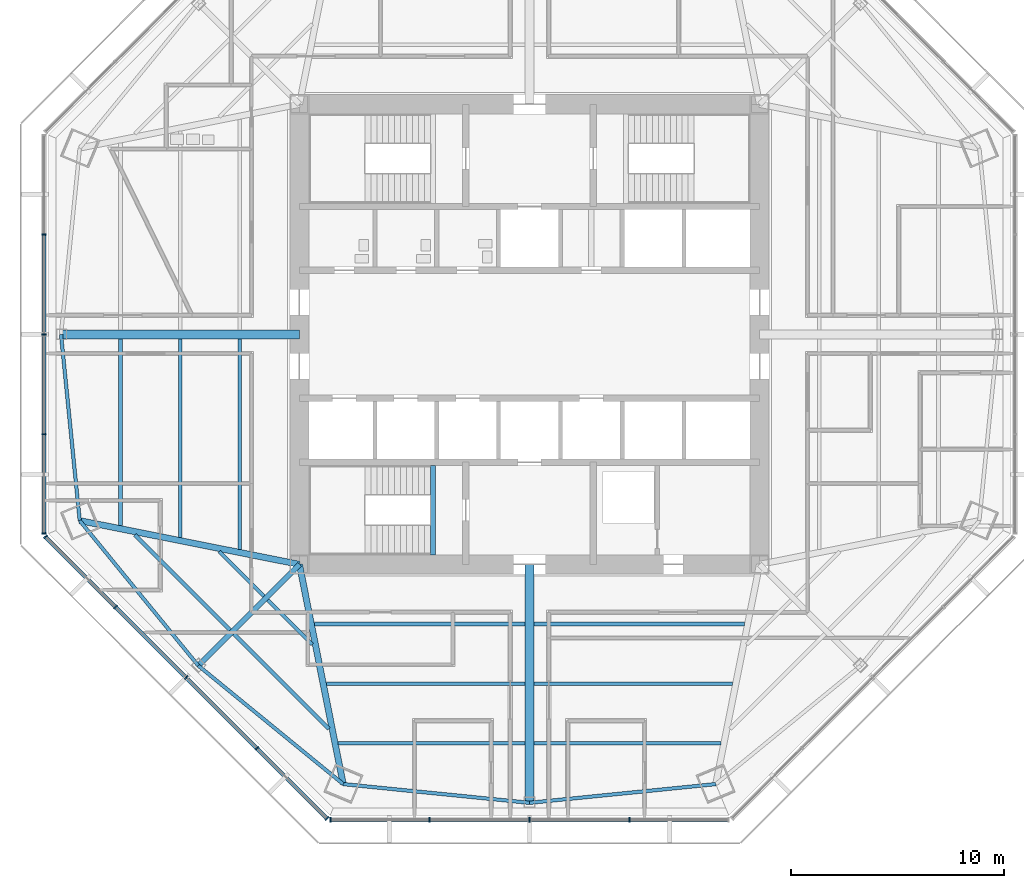
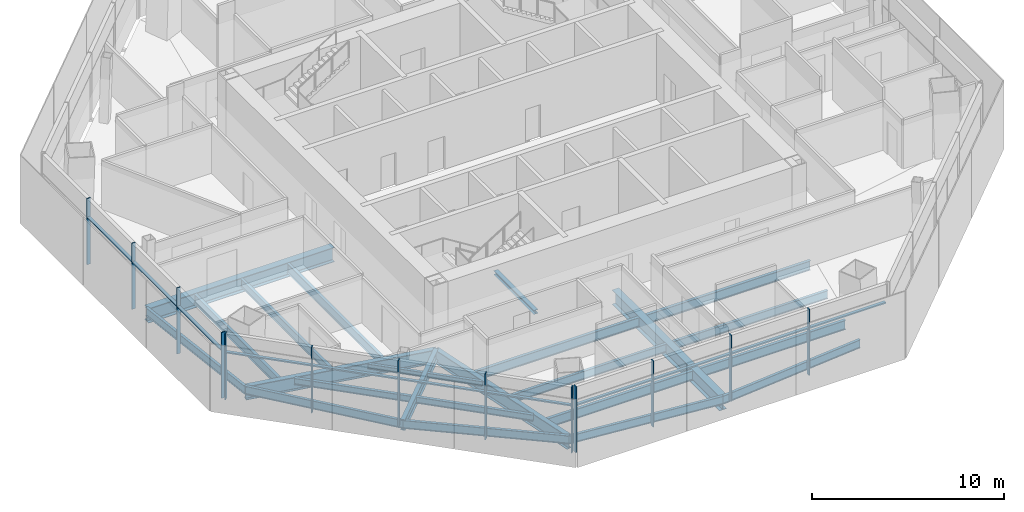
# One storey, part 2 of 15: 24 beams, 24 members, 3 elements without a shape of their own.
"""IFC4 building model written with IfcOpenShell, lengths in metres."""

from ifc_helpers import new_model, si_unit, direction, frame, origin, origin_2d, place, context, subcontext, project, spatial, rectangle, i_section, extrude, source, transform, mapped, material, material_profile, profile_set, type_object, type_shapes, element, aggregate, save


model = new_model("IFC4")

# Units and contexts
model_context = context("Model", 3, precision=1e-05, world=origin(), true_north=direction((0.0, 1.0)))
body_context = subcontext(model_context, "Body", "Model", "MODEL_VIEW")
ifc_project = project(units=[si_unit("LENGTHUNIT", "METRE"), si_unit("AREAUNIT", "SQUARE_METRE"), si_unit("VOLUMEUNIT", "CUBIC_METRE"), si_unit("PLANEANGLEUNIT", "RADIAN"), si_unit("MASSUNIT", "GRAM", prefix="KILO")], contexts=[model_context])

# Site, building, storey
site_placement = place(None, origin())
site = spatial("IfcSite", under=ifc_project, at=site_placement, CompositionType="ELEMENT")
building_placement = place(site_placement, origin())
building = spatial("IfcBuilding", under=site, at=building_placement, Name="Mashrafa Tower", CompositionType="ELEMENT")
storey_placement = place(building_placement, frame((0.0, 0.0, 184.800048828125)))
storey = spatial("IfcBuildingStorey", under=building, at=storey_placement, Name="L42", CompositionType="ELEMENT", Elevation=184.800048828125)

# Beams
ifc_material_1 = material(Name="Steel ASTM A992", Category="steel")
ifc_material_profile_1 = material_profile(ifc_material_1, i_section(OverallWidth=0.164794921875, OverallDepth=0.309814453125, WebThickness=0.005859375, FlangeThickness=0.009765625, FilletRadius=0.007568359375, at=origin_2d()), Name="W12X26")
ifc_profile_set_1 = profile_set([ifc_material_profile_1], Name="Steel ASTM A992")
beam_type_1 = type_object("IfcBeamType", Name="Beam W12X26", PredefinedType="BEAM", material=ifc_profile_set_1)
for number, where, z_axis, x_axis, name in (
    (1, (-12.473388671875, -12.293701171875, -0.320068359375), (-0.707065585301, 0.707147974672, 0.0), (-0.707147974672, -0.707065585301, 0.0), "Floor beam L42 011"),
    (2, (-10.1982421875, -14.568603515625, -0.320068359375), (-0.707147974672, 0.707065585301, 0.0), (-0.707065585301, -0.707147974672, 0.0), "Floor beam L42 014"),
):
    element("IfcBeam", number, at=place(storey_placement, frame(where, z_axis=z_axis, x_axis=x_axis)), inside=storey, type_object=beam_type_1, Name=name, PredefinedType="BEAM", context=body_context, shape_type="SweptSolid", body=[
        extrude(i_section(OverallWidth=0.164794921875, OverallDepth=0.309814453125, WebThickness=0.005859375, FlangeThickness=0.009765625, FilletRadius=0.007568359375, at=origin_2d()), origin(), (0.0, 0.0, 1.0), 2.963134765625),
    ])
ifc_material_2 = material(Name="Steel ASTM A992", Category="steel")
ifc_material_profile_2 = material_profile(ifc_material_2, i_section(OverallWidth=0.177734375, OverallDepth=0.406494140625, WebThickness=0.0078125, FlangeThickness=0.012939453125, FilletRadius=0.01025390625, at=origin_2d()), Name="W16X40")
ifc_profile_set_2 = profile_set([ifc_material_profile_2], Name="Steel ASTM A992")
beam_type_2 = type_object("IfcBeamType", Name="Beam W16X40", PredefinedType="BEAM", material=ifc_profile_set_2)
for number, where, z_axis, x_axis, name in (
    (3, (-14.056640625, -13.877197265625, -0.3681640625), (-0.707106781187, 0.707106781187, 0.0), (-0.707106781187, -0.707106781187, 0.0), "Floor beam L42 007"),
    (4, (-9.410400390625, -18.5234375, -0.3681640625), (-0.707106781187, 0.707106781187, 0.0), (-0.707106781187, -0.707106781187, 0.0), "Floor beam L42 016"),
):
    element("IfcBeam", number, at=place(storey_placement, frame(where, z_axis=z_axis, x_axis=x_axis)), inside=storey, type_object=beam_type_2, Name=name, PredefinedType="BEAM", context=body_context, shape_type="SweptSolid", body=[
        extrude(i_section(OverallWidth=0.177734375, OverallDepth=0.406494140625, WebThickness=0.0078125, FlangeThickness=0.012939453125, FilletRadius=0.01025390625, at=origin_2d()), origin(), (0.0, 0.0, 1.0), 6.31689453125),
    ])
ifc_material_3 = material(Name="Steel ASTM A992", Category="steel")
ifc_material_profile_3 = material_profile(ifc_material_3, i_section(OverallWidth=0.1650390625, OverallDepth=0.52587890625, WebThickness=0.0087890625, FlangeThickness=0.011474609375, FilletRadius=0.0126953125, at=origin_2d()), Name="W21X44")
ifc_profile_set_3 = profile_set([ifc_material_profile_3], Name="Steel ASTM A992")
beam_type_3 = type_object("IfcBeamType", Name="Beam W21X44", PredefinedType="BEAM", material=ifc_profile_set_3)
for number, where, z_axis, x_axis, name in (
    (5, (-16.39599609375, -9.536376953125, -0.427978515625), (0.0, 1.0, 0.0), (-1.0, 0.0, 0.0), "Floor beam L42 004"),
    (6, (-0.20947265625, -16.39599609375, -0.427978515625), (-1.0, 0.0, 0.0), (0.0, -1.0, 0.0), "Floor beam L42 019"),
    (7, (9.536376953125, -16.39599609375, -0.427978515625), (-1.0, 0.0, 0.0), (0.0, -1.0, 0.0), "Floor beam L42 026"),
):
    element("IfcBeam", number, at=place(storey_placement, frame(where, z_axis=z_axis, x_axis=x_axis)), inside=storey, type_object=beam_type_3, Name=name, PredefinedType="BEAM", context=body_context, shape_type="SweptSolid", body=[
        extrude(i_section(OverallWidth=0.1650390625, OverallDepth=0.52587890625, WebThickness=0.0087890625, FlangeThickness=0.011474609375, FilletRadius=0.0126953125, at=origin_2d()), origin(), (0.0, 0.0, 1.0), 9.326904296875),
    ])
beam_1_placement = place(storey_placement, frame((-21.99169921875, 0.0, -0.427978515625), z_axis=(0.099938225951, -0.994993643695, 0.0), x_axis=(0.994993643695, 0.099938225951, 0.0)))
element("IfcBeam", 8, at=beam_1_placement, inside=storey, type_object=beam_type_3, Name="Spandrel beam L42 057", PredefinedType="BEAM", context=body_context, shape_type="SweptSolid", body=[
    extrude(i_section(OverallWidth=0.1650390625, OverallDepth=0.52587890625, WebThickness=0.0087890625, FlangeThickness=0.011474609375, FilletRadius=0.0126953125, at=origin_2d()), origin(), (0.0, 0.0, 1.0), 8.78955078125),
])
for number, where, z_axis, x_axis, name in (
    (9, (-21.11328125, -8.74560546875, -0.427978515625), (0.632932191269, -0.77420723405, 0.0), (0.77420723405, 0.632932191269, 0.0), "Spandrel beam L42 058"),
    (10, (-15.55029296875, -15.55029296875, -0.427978515625), (0.77420723405, -0.632932191269, 0.0), (0.632932191269, 0.77420723405, 0.0), "Spandrel beam L42 060"),
):
    element("IfcBeam", number, at=place(storey_placement, frame(where, z_axis=z_axis, x_axis=x_axis)), inside=storey, type_object=beam_type_3, Name=name, PredefinedType="BEAM", context=body_context, shape_type="SweptSolid", body=[
        extrude(i_section(OverallWidth=0.1650390625, OverallDepth=0.52587890625, WebThickness=0.0087890625, FlangeThickness=0.011474609375, FilletRadius=0.0126953125, at=origin_2d()), origin(), (0.0, 0.0, 1.0), 8.789306640625),
    ])
for number, where, z_axis, x_axis, name in (
    (11, (-8.74560546875, -21.11328125, -0.427978515625), (0.994993643695, -0.099938225951, 0.0), (0.099938225951, 0.994993643695, 0.0), "Spandrel beam L42 062"),
    (12, (0.0, -21.99169921875, -0.427978515625), (0.994993643695, 0.099938225951, 0.0), (-0.099938225951, 0.994993643695, 0.0), "Spandrel beam L42 064"),
):
    element("IfcBeam", number, at=place(storey_placement, frame(where, z_axis=z_axis, x_axis=x_axis)), inside=storey, type_object=beam_type_3, Name=name, PredefinedType="BEAM", context=body_context, shape_type="SweptSolid", body=[
        extrude(i_section(OverallWidth=0.1650390625, OverallDepth=0.52587890625, WebThickness=0.0087890625, FlangeThickness=0.011474609375, FilletRadius=0.0126953125, at=origin_2d()), origin(), (0.0, 0.0, 1.0), 8.78955078125),
    ])
ifc_material_4 = material(Name="Steel ASTM A992", Category="steel")
ifc_material_profile_4 = material_profile(ifc_material_4, i_section(OverallWidth=0.177978515625, OverallDepth=0.599365234375, WebThickness=0.010009765625, FlangeThickness=0.012939453125, FilletRadius=0.012939453125, at=origin_2d()), Name="W24X55")
ifc_profile_set_4 = profile_set([ifc_material_profile_4], Name="Steel ASTM A992")
beam_type_4 = type_object("IfcBeamType", Name="Beam W24X55", PredefinedType="BEAM", material=ifc_profile_set_4)
beam_2_placement = place(storey_placement, frame((-19.19384765625, -8.97900390625, -0.46484375), z_axis=(0.0, 1.0, 0.0), x_axis=(-1.0, 0.0, 0.0)))
element("IfcBeam", 13, at=beam_2_placement, inside=storey, type_object=beam_type_4, Name="Floor beam L42 001", PredefinedType="BEAM", context=body_context, shape_type="SweptSolid", body=[
    extrude(i_section(OverallWidth=0.177978515625, OverallDepth=0.599365234375, WebThickness=0.010009765625, FlangeThickness=0.012939453125, FilletRadius=0.012939453125, at=origin_2d()), origin(), (0.0, 0.0, 1.0), 8.76953125),
])
beam_3_placement = place(storey_placement, frame((-13.597900390625, -10.09375, -0.46484375), z_axis=(0.0, 1.0, 0.0), x_axis=(-1.0, 0.0, 0.0)))
element("IfcBeam", 14, at=beam_3_placement, inside=storey, type_object=beam_type_4, Name="Floor beam L42 009", PredefinedType="BEAM", context=body_context, shape_type="SweptSolid", body=[
    extrude(i_section(OverallWidth=0.177978515625, OverallDepth=0.599365234375, WebThickness=0.010009765625, FlangeThickness=0.012939453125, FilletRadius=0.012939453125, at=origin_2d()), origin(), (0.0, 0.0, 1.0), 9.88427734375),
])
beam_4_placement = place(storey_placement, frame((-0.20947265625, -19.19384765625, -0.46484375), z_axis=(-1.0, 0.0, 0.0), x_axis=(0.0, -1.0, 0.0)))
element("IfcBeam", 15, at=beam_4_placement, inside=storey, type_object=beam_type_4, Name="Floor beam L42 018", PredefinedType="BEAM", context=body_context, shape_type="SweptSolid", body=[
    extrude(i_section(OverallWidth=0.177978515625, OverallDepth=0.599365234375, WebThickness=0.010009765625, FlangeThickness=0.012939453125, FilletRadius=0.012939453125, at=origin_2d()), origin(), (0.0, 0.0, 1.0), 8.76953125),
])
beam_5_placement = place(storey_placement, frame((-0.20947265625, -13.597900390625, -0.46484375), z_axis=(-1.0, 0.0, 0.0), x_axis=(0.0, -1.0, 0.0)))
element("IfcBeam", 16, at=beam_5_placement, inside=storey, type_object=beam_type_4, Name="Floor beam L42 020", PredefinedType="BEAM", context=body_context, shape_type="SweptSolid", body=[
    extrude(i_section(OverallWidth=0.177978515625, OverallDepth=0.599365234375, WebThickness=0.010009765625, FlangeThickness=0.012939453125, FilletRadius=0.012939453125, at=origin_2d()), origin(), (0.0, 0.0, 1.0), 9.88427734375),
])
beam_6_placement = place(storey_placement, frame((8.97900390625, -19.19384765625, -0.46484375), z_axis=(-1.0, 0.0, 0.0), x_axis=(0.0, -1.0, 0.0)))
element("IfcBeam", 17, at=beam_6_placement, inside=storey, type_object=beam_type_4, Name="Floor beam L42 024", PredefinedType="BEAM", context=body_context, shape_type="SweptSolid", body=[
    extrude(i_section(OverallWidth=0.177978515625, OverallDepth=0.599365234375, WebThickness=0.010009765625, FlangeThickness=0.012939453125, FilletRadius=0.012939453125, at=origin_2d()), origin(), (0.0, 0.0, 1.0), 8.76953125),
])
beam_7_placement = place(storey_placement, frame((10.09375, -13.597900390625, -0.46484375), z_axis=(-1.0, 0.0, 0.0), x_axis=(0.0, -1.0, 0.0)))
element("IfcBeam", 18, at=beam_7_placement, inside=storey, type_object=beam_type_4, Name="Floor beam L42 028", PredefinedType="BEAM", context=body_context, shape_type="SweptSolid", body=[
    extrude(i_section(OverallWidth=0.177978515625, OverallDepth=0.599365234375, WebThickness=0.010009765625, FlangeThickness=0.012939453125, FilletRadius=0.012939453125, at=origin_2d()), origin(), (0.0, 0.0, 1.0), 9.88427734375),
])
ifc_material_5 = material(Name="Steel ASTM A992", Category="steel")
ifc_material_profile_5 = material_profile(ifc_material_5, i_section(OverallWidth=0.25390625, OverallDepth=0.683349609375, WebThickness=0.012451171875, FlangeThickness=0.01904296875, FilletRadius=0.01513671875, at=origin_2d()), Name="W27X94")
ifc_profile_set_5 = profile_set([ifc_material_profile_5], Name="Steel ASTM A992")
beam_type_5 = type_object("IfcBeamType", Name="Beam W27X94", PredefinedType="BEAM", material=ifc_profile_set_5)
beam_8_placement = place(storey_placement, frame((-10.800048828125, -10.800048828125, -0.506591796875), z_axis=(-0.707106781187, -0.707106781187, 0.0), x_axis=(0.707106781187, -0.707106781187, 0.0)))
element("IfcBeam", 19, at=beam_8_placement, inside=storey, type_object=beam_type_5, Name="Radial girder L42 042", PredefinedType="BEAM", context=body_context, shape_type="SweptSolid", body=[
    extrude(i_section(OverallWidth=0.25390625, OverallDepth=0.683349609375, WebThickness=0.012451171875, FlangeThickness=0.01904296875, FilletRadius=0.01513671875, at=origin_2d()), origin(), (0.0, 0.0, 1.0), 6.7177734375),
])
ifc_material_6 = material(Name="Steel ASTM A992", Category="steel")
ifc_material_profile_6 = material_profile(ifc_material_6, i_section(OverallWidth=0.2919921875, OverallDepth=0.8583984375, WebThickness=0.01708984375, FlangeThickness=0.031005859375, FilletRadius=0.017822265625, at=origin_2d()), Name="W33X169")
ifc_profile_set_6 = profile_set([ifc_material_profile_6], Name="Steel ASTM A992")
beam_type_6 = type_object("IfcBeamType", Name="Beam W33X169", PredefinedType="BEAM", material=ifc_profile_set_6)
for number, where, z_axis, x_axis, name in (
    (20, (-10.800048828125, -10.800048828125, -0.59423828125), (-0.980730402483, 0.195366009443, 0.0), (-0.195366009443, -0.980730402483, 0.0), "Radial girder L42 041"),
    (21, (-10.800048828125, -10.800048828125, -0.59423828125), (0.195366009443, -0.980730402483, 0.0), (0.980730402483, 0.195366009443, 0.0), "Radial girder L42 043"),
):
    element("IfcBeam", number, at=place(storey_placement, frame(where, z_axis=z_axis, x_axis=x_axis)), inside=storey, type_object=beam_type_6, Name=name, PredefinedType="BEAM", context=body_context, shape_type="SweptSolid", body=[
        extrude(i_section(OverallWidth=0.2919921875, OverallDepth=0.8583984375, WebThickness=0.01708984375, FlangeThickness=0.031005859375, FilletRadius=0.017822265625, at=origin_2d()), origin(), (0.0, 0.0, 1.0), 10.515869140625),
    ])
ifc_material_7 = material(Name="Steel ASTM A992", Category="steel")
ifc_material_profile_7 = material_profile(ifc_material_7, i_section(OverallWidth=0.419189453125, OverallDepth=0.927001953125, WebThickness=0.019287109375, FlangeThickness=0.031982421875, FilletRadius=0.020263671875, at=origin_2d()), Name="W36X231")
ifc_profile_set_7 = profile_set([ifc_material_profile_7], Name="Steel ASTM A992")
beam_type_7 = type_object("IfcBeamType", Name="Beam W36X231", PredefinedType="BEAM", material=ifc_profile_set_7)
for number, where, z_axis, x_axis, name in (
    (22, (-10.800048828125, 0.0, -0.628662109375), (-1.0, 0.0, 0.0), (0.0, -1.0, 0.0), "Radial girder L42 044"),
    (23, (0.0, -10.800048828125, -0.628662109375), (0.0, -1.0, 0.0), (1.0, 0.0, 0.0), "Radial girder L42 048"),
):
    element("IfcBeam", number, at=place(storey_placement, frame(where, z_axis=z_axis, x_axis=x_axis)), inside=storey, type_object=beam_type_7, Name=name, PredefinedType="BEAM", context=body_context, shape_type="SweptSolid", body=[
        extrude(i_section(OverallWidth=0.419189453125, OverallDepth=0.927001953125, WebThickness=0.019287109375, FlangeThickness=0.031982421875, FilletRadius=0.020263671875, at=origin_2d()), origin(), (0.0, 0.0, 1.0), 11.191650390625),
    ])
ifc_material_8 = material(Name="Steel ASTM A992", Category="steel")
ifc_material_profile_8 = material_profile(ifc_material_8, i_section(OverallWidth=0.25390625, OverallDepth=0.25390625, WebThickness=0.008544921875, FlangeThickness=0.01416015625, FilletRadius=0.010009765625, at=origin_2d()), Name="W10X49")
ifc_profile_set_8 = profile_set([ifc_material_profile_8], Name="Steel ASTM A992")
beam_type_8 = type_object("IfcBeamType", Name="Hoistway beam W10X49", PredefinedType="BEAM", material=ifc_profile_set_8)
beam_9_placement = place(storey_placement, frame((-4.530029296875, -10.35009765625, -0.3271484375), z_axis=(0.0, 1.0, 0.0), x_axis=(-1.0, 0.0, 0.0)))
element("IfcBeam", 24, at=beam_9_placement, inside=storey, type_object=beam_type_8, Name="Stair S3 landing beam L42", PredefinedType="BEAM", context=body_context, shape_type="SweptSolid", body=[
    extrude(i_section(OverallWidth=0.25390625, OverallDepth=0.25390625, WebThickness=0.008544921875, FlangeThickness=0.01416015625, FilletRadius=0.010009765625, at=origin_2d()), origin(), (0.0, 0.0, 1.0), 4.2001953125),
])

# Curtain wall, members
ifc_material_9 = material(Name="Unitised aluminium curtain wall", Category="aluminium")
curtain_wall_type = type_object("IfcCurtainWallType", Name="Office curtain wall, zone 2 CW-B 225 deep", PredefinedType="NOTDEFINED", material=ifc_material_9)
curtain_wall_1_placement = place(storey_placement, origin())
curtain_wall_1 = element("IfcCurtainWall", 25, at=curtain_wall_1_placement, inside=storey, type_object=curtain_wall_type, Name="Office curtain wall, zone 2 L42 west", PredefinedType="NOTDEFINED")
ifc_material_10 = material(Name="Extruded aluminium mullion", Category="aluminium")
ifc_material_profile_9 = material_profile(ifc_material_10, rectangle(XDim=0.22509765625, YDim=0.06494140625, at=origin_2d()), Name="Mullion 65x225")
ifc_profile_set_9 = profile_set([ifc_material_profile_9], Name="Extruded aluminium mullion")
member_type_1 = type_object("IfcMemberType", Name="Mullion CW-B 65 x 225", PredefinedType="MULLION", material=ifc_profile_set_9)
shared_shape_1 = source(origin(), body_context, "Body", "SweptSolid", [
    extrude(rectangle(XDim=0.22509765625, YDim=0.06494140625, at=origin_2d()), origin(), (0.0, 0.0, 1.0), 4.199951171875),
])
type_shapes(member_type_1, [shared_shape_1])
member_1_placement = place(storey_placement, frame((-22.786865234375, 4.69091796875, 0.0), z_axis=(0.0, 0.0, 1.0), x_axis=(1.0, 0.0, 0.0)))
member_1 = element("IfcMember", 26, at=member_1_placement, type_object=member_type_1, Name="CW-B mullion 2", PredefinedType="MULLION", context=body_context, shape_type="MappedRepresentation", body=[
    mapped(shared_shape_1, transform((0.0, 0.0, 0.0))),
])
member_2_placement = place(storey_placement, frame((-22.786865234375, 0.0, 0.0), z_axis=(0.0, 0.0, 1.0), x_axis=(1.0, 0.0, 0.0)))
member_2 = element("IfcMember", 27, at=member_2_placement, type_object=member_type_1, Name="CW-B mullion 3", PredefinedType="MULLION", context=body_context, shape_type="MappedRepresentation", body=[
    mapped(shared_shape_1, transform((0.0, 0.0, 0.0))),
])
member_3_placement = place(storey_placement, frame((-22.786865234375, -4.69091796875, 0.0), z_axis=(0.0, 0.0, 1.0), x_axis=(1.0, 0.0, 0.0)))
member_3 = element("IfcMember", 28, at=member_3_placement, type_object=member_type_1, Name="CW-B mullion 4", PredefinedType="MULLION", context=body_context, shape_type="MappedRepresentation", body=[
    mapped(shared_shape_1, transform((0.0, 0.0, 0.0))),
])
member_4_placement = place(storey_placement, frame((-22.786865234375, -9.349609375, 0.0), z_axis=(0.0, 0.0, 1.0), x_axis=(1.0, 0.0, 0.0)))
member_4 = element("IfcMember", 29, at=member_4_placement, type_object=member_type_1, Name="CW-B mullion 5", PredefinedType="MULLION", context=body_context, shape_type="MappedRepresentation", body=[
    mapped(shared_shape_1, transform((0.0, 0.0, 0.0))),
])

curtain_wall_2_placement = place(storey_placement, origin())
curtain_wall_2 = element("IfcCurtainWall", 30, at=curtain_wall_2_placement, inside=storey, type_object=curtain_wall_type, Name="Office curtain wall, zone 2 L42 south-west", PredefinedType="NOTDEFINED")
member_5_placement = place(storey_placement, frame((-22.723876953125, -9.501708984375, 0.0), z_axis=(0.0, 0.0, 1.0), x_axis=(0.707106781187, 0.707106781187, 0.0)))
member_5 = element("IfcMember", 31, at=member_5_placement, type_object=member_type_1, Name="CW-B mullion 1", PredefinedType="MULLION", context=body_context, shape_type="MappedRepresentation", body=[
    mapped(shared_shape_1, transform((0.0, 0.0, 0.0))),
])
member_6_placement = place(storey_placement, frame((-19.429931640625, -12.795654296875, 0.0), z_axis=(0.0, 0.0, 1.0), x_axis=(0.707106781187, 0.707106781187, 0.0)))
member_6 = element("IfcMember", 32, at=member_6_placement, type_object=member_type_1, Name="CW-B mullion 2", PredefinedType="MULLION", context=body_context, shape_type="MappedRepresentation", body=[
    mapped(shared_shape_1, transform((0.0, 0.0, 0.0))),
])
member_7_placement = place(storey_placement, frame((-16.11279296875, -16.11279296875, 0.0), z_axis=(0.0, 0.0, 1.0), x_axis=(0.707106781187, 0.707106781187, 0.0)))
member_7 = element("IfcMember", 33, at=member_7_placement, type_object=member_type_1, Name="CW-B mullion 3", PredefinedType="MULLION", context=body_context, shape_type="MappedRepresentation", body=[
    mapped(shared_shape_1, transform((0.0, 0.0, 0.0))),
])
member_8_placement = place(storey_placement, frame((-12.795654296875, -19.429931640625, 0.0), z_axis=(0.0, 0.0, 1.0), x_axis=(0.707106781187, 0.707106781187, 0.0)))
member_8 = element("IfcMember", 34, at=member_8_placement, type_object=member_type_1, Name="CW-B mullion 4", PredefinedType="MULLION", context=body_context, shape_type="MappedRepresentation", body=[
    mapped(shared_shape_1, transform((0.0, 0.0, 0.0))),
])
member_9_placement = place(storey_placement, frame((-9.501708984375, -22.723876953125, 0.0), z_axis=(0.0, 0.0, 1.0), x_axis=(0.707106781187, 0.707106781187, 0.0)))
member_9 = element("IfcMember", 35, at=member_9_placement, type_object=member_type_1, Name="CW-B mullion 5", PredefinedType="MULLION", context=body_context, shape_type="MappedRepresentation", body=[
    mapped(shared_shape_1, transform((0.0, 0.0, 0.0))),
])

curtain_wall_3_placement = place(storey_placement, origin())
curtain_wall_3 = element("IfcCurtainWall", 36, at=curtain_wall_3_placement, inside=storey, type_object=curtain_wall_type, Name="Office curtain wall, zone 2 L42 south", PredefinedType="NOTDEFINED")
member_10_placement = place(storey_placement, frame((-9.349609375, -22.786865234375, 0.0), z_axis=(0.0, 0.0, 1.0), x_axis=(0.0, 1.0, 0.0)))
member_10 = element("IfcMember", 37, at=member_10_placement, type_object=member_type_1, Name="CW-B mullion 1", PredefinedType="MULLION", context=body_context, shape_type="MappedRepresentation", body=[
    mapped(shared_shape_1, transform((0.0, 0.0, 0.0))),
])
member_11_placement = place(storey_placement, frame((-4.69091796875, -22.786865234375, 0.0), z_axis=(0.0, 0.0, 1.0), x_axis=(0.0, 1.0, 0.0)))
member_11 = element("IfcMember", 38, at=member_11_placement, type_object=member_type_1, Name="CW-B mullion 2", PredefinedType="MULLION", context=body_context, shape_type="MappedRepresentation", body=[
    mapped(shared_shape_1, transform((0.0, 0.0, 0.0))),
])
member_12_placement = place(storey_placement, frame((0.0, -22.786865234375, 0.0), z_axis=(0.0, 0.0, 1.0), x_axis=(0.0, 1.0, 0.0)))
member_12 = element("IfcMember", 39, at=member_12_placement, type_object=member_type_1, Name="CW-B mullion 3", PredefinedType="MULLION", context=body_context, shape_type="MappedRepresentation", body=[
    mapped(shared_shape_1, transform((0.0, 0.0, 0.0))),
])
member_13_placement = place(storey_placement, frame((4.69091796875, -22.786865234375, 0.0), z_axis=(0.0, 0.0, 1.0), x_axis=(0.0, 1.0, 0.0)))
member_13 = element("IfcMember", 40, at=member_13_placement, type_object=member_type_1, Name="CW-B mullion 4", PredefinedType="MULLION", context=body_context, shape_type="MappedRepresentation", body=[
    mapped(shared_shape_1, transform((0.0, 0.0, 0.0))),
])

# Member
ifc_material_11 = material(Name="Extruded aluminium transom", Category="aluminium")
ifc_material_profile_10 = material_profile(ifc_material_11, rectangle(XDim=0.179931640625, YDim=0.080078125, at=origin_2d()), Name="Transom 80x180")
ifc_profile_set_10 = profile_set([ifc_material_profile_10], Name="Extruded aluminium transom")
member_type_2 = type_object("IfcMemberType", Name="Transom CW-B 80 x 180", PredefinedType="MULLION", material=ifc_profile_set_10)
shared_shape_2 = source(origin(), body_context, "Body", "SweptSolid", [
    extrude(rectangle(XDim=0.179931640625, YDim=0.080078125, at=origin_2d()), origin(), (0.0, 0.0, 1.0), 4.593505859375),
])
member_14_placement = place(storey_placement, frame((-22.786865234375, -4.7236328125, 3.0), z_axis=(0.0, -1.0, 0.0), x_axis=(1.0, 0.0, 0.0)))
member_14 = element("IfcMember", 41, at=member_14_placement, type_object=member_type_2, Name="CW-B transom 4", PredefinedType="MULLION", context=body_context, shape_type="MappedRepresentation", body=[
    mapped(shared_shape_2, transform((0.0, 0.0, 0.0))),
])

member_15_placement = place(storey_placement, frame((-22.700927734375, -9.524658203125, 3.0), z_axis=(0.707106781187, -0.707106781187, 0.0), x_axis=(0.707106781187, 0.707106781187, 0.0)))
member_15 = element("IfcMember", 42, at=member_15_placement, type_object=member_type_2, Name="CW-B transom 1", PredefinedType="MULLION", context=body_context, shape_type="MappedRepresentation", body=[
    mapped(shared_shape_2, transform((0.0, 0.0, 0.0))),
])

member_16_placement = place(storey_placement, frame((-12.772705078125, -19.452880859375, 3.0), z_axis=(0.707106781187, -0.707106781187, 0.0), x_axis=(0.707106781187, 0.707106781187, 0.0)))
member_16 = element("IfcMember", 43, at=member_16_placement, type_object=member_type_2, Name="CW-B transom 4", PredefinedType="MULLION", context=body_context, shape_type="MappedRepresentation", body=[
    mapped(shared_shape_2, transform((0.0, 0.0, 0.0))),
])

member_17_placement = place(storey_placement, frame((-9.317138671875, -22.786865234375, 3.0), z_axis=(1.0, 0.0, 0.0), x_axis=(0.0, 1.0, 0.0)))
member_17 = element("IfcMember", 44, at=member_17_placement, type_object=member_type_2, Name="CW-B transom 1", PredefinedType="MULLION", context=body_context, shape_type="MappedRepresentation", body=[
    mapped(shared_shape_2, transform((0.0, 0.0, 0.0))),
])

member_18_placement = place(storey_placement, frame((4.7236328125, -22.786865234375, 3.0), z_axis=(1.0, 0.0, 0.0), x_axis=(0.0, 1.0, 0.0)))
member_18 = element("IfcMember", 45, at=member_18_placement, type_object=member_type_2, Name="CW-B transom 4", PredefinedType="MULLION", context=body_context, shape_type="MappedRepresentation", body=[
    mapped(shared_shape_2, transform((0.0, 0.0, 0.0))),
])

shared_shape_3 = source(origin(), body_context, "Body", "SweptSolid", [
    extrude(rectangle(XDim=0.179931640625, YDim=0.080078125, at=origin_2d()), origin(), (0.0, 0.0, 1.0), 4.6259765625),
])
type_shapes(member_type_2, [shared_shape_2, shared_shape_3])
member_19_placement = place(storey_placement, frame((-22.786865234375, 4.658447265625, 3.0), z_axis=(0.0, -1.0, 0.0), x_axis=(1.0, 0.0, 0.0)))
member_19 = element("IfcMember", 46, at=member_19_placement, type_object=member_type_2, Name="CW-B transom 2", PredefinedType="MULLION", context=body_context, shape_type="MappedRepresentation", body=[
    mapped(shared_shape_3, transform((0.0, 0.0, 0.0))),
])

member_20_placement = place(storey_placement, frame((-22.786865234375, -0.032470703125, 3.0), z_axis=(0.0, -1.0, 0.0), x_axis=(1.0, 0.0, 0.0)))
member_20 = element("IfcMember", 47, at=member_20_placement, type_object=member_type_2, Name="CW-B transom 3", PredefinedType="MULLION", context=body_context, shape_type="MappedRepresentation", body=[
    mapped(shared_shape_3, transform((0.0, 0.0, 0.0))),
])

aggregate(curtain_wall_1, [member_1, member_2, member_3, member_4, member_19, member_20, member_14])

member_21_placement = place(storey_placement, frame((-19.406982421875, -12.81884765625, 3.0), z_axis=(0.707133168229, -0.707080393159, 0.0), x_axis=(0.707080393159, 0.707133168229, 0.0)))
member_21 = element("IfcMember", 48, at=member_21_placement, type_object=member_type_2, Name="CW-B transom 2", PredefinedType="MULLION", context=body_context, shape_type="MappedRepresentation", body=[
    mapped(shared_shape_3, transform((0.0, 0.0, 0.0))),
])

member_22_placement = place(storey_placement, frame((-16.08984375, -16.1357421875, 3.0), z_axis=(0.707080393159, -0.707133168229, 0.0), x_axis=(0.707133168229, 0.707080393159, 0.0)))
member_22 = element("IfcMember", 49, at=member_22_placement, type_object=member_type_2, Name="CW-B transom 3", PredefinedType="MULLION", context=body_context, shape_type="MappedRepresentation", body=[
    mapped(shared_shape_3, transform((0.0, 0.0, 0.0))),
])

aggregate(curtain_wall_2, [member_5, member_6, member_7, member_8, member_9, member_15, member_21, member_22, member_16])

member_23_placement = place(storey_placement, frame((-4.658447265625, -22.786865234375, 3.0), z_axis=(1.0, 0.0, 0.0), x_axis=(0.0, 1.0, 0.0)))
member_23 = element("IfcMember", 50, at=member_23_placement, type_object=member_type_2, Name="CW-B transom 2", PredefinedType="MULLION", context=body_context, shape_type="MappedRepresentation", body=[
    mapped(shared_shape_3, transform((0.0, 0.0, 0.0))),
])

member_24_placement = place(storey_placement, frame((0.032470703125, -22.786865234375, 3.0), z_axis=(1.0, 0.0, 0.0), x_axis=(0.0, 1.0, 0.0)))
member_24 = element("IfcMember", 51, at=member_24_placement, type_object=member_type_2, Name="CW-B transom 3", PredefinedType="MULLION", context=body_context, shape_type="MappedRepresentation", body=[
    mapped(shared_shape_3, transform((0.0, 0.0, 0.0))),
])

aggregate(curtain_wall_3, [member_10, member_11, member_12, member_13, member_17, member_23, member_24, member_18])

save(model, "model.ifc")
